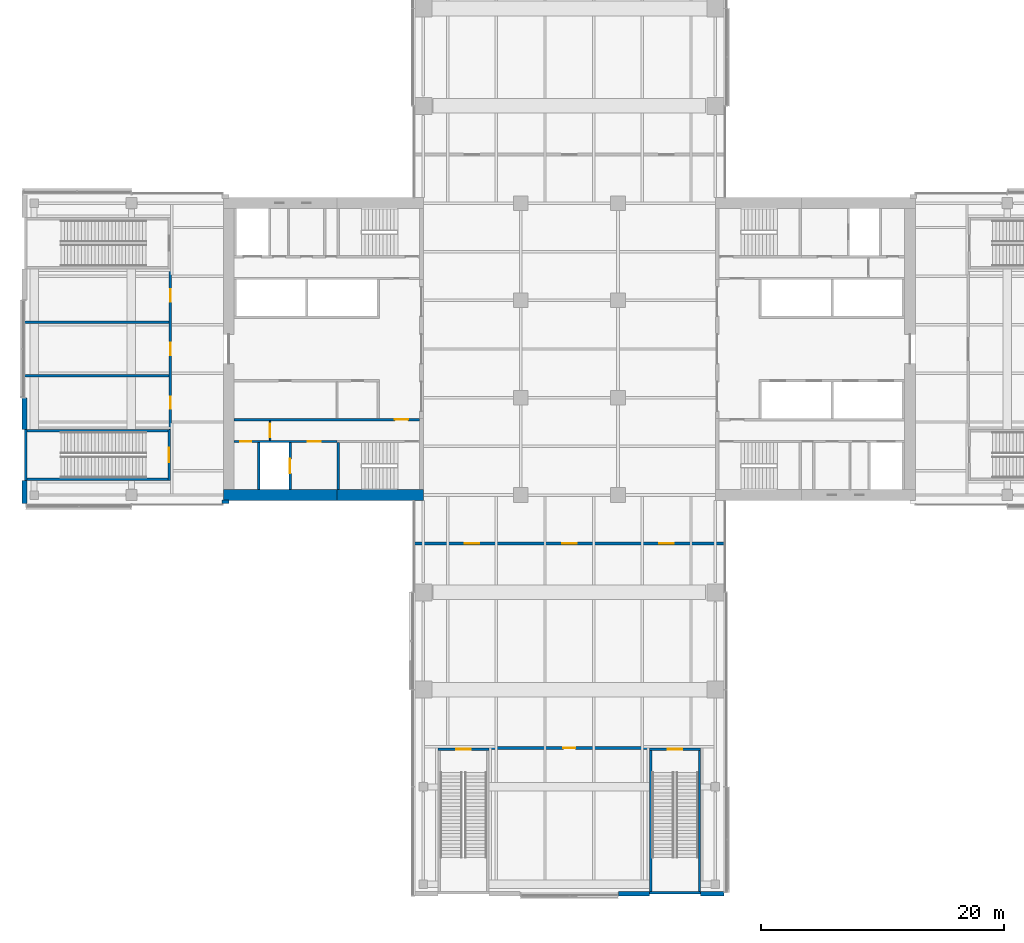
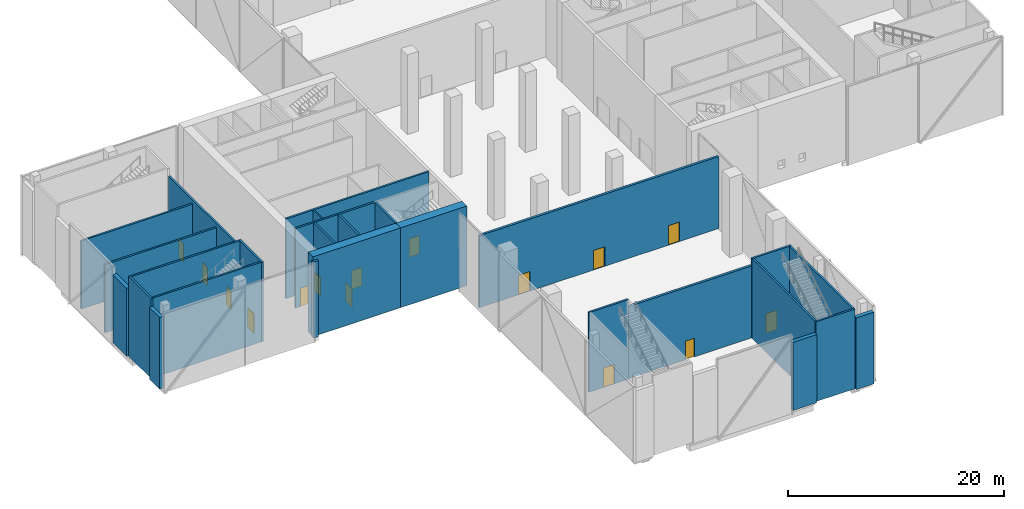
# One storey, part 14 of 26: 27 walls, 15 doors, 15 openings.
"""IFC4 building model written with IfcOpenShell, lengths in metres."""

import ifcopenshell
import ifcopenshell.guid

model = None  # the IFC model being written
_history = None  # IfcOwnerHistory: only IFC2X3 demands one
_inside = {}  # id of a spatial element -> (the spatial element, [elements in it])
_under = {}  # id of a project, library or spatial element -> (it, [spatial elements below it])
_declared = {}  # id of a project -> (the project, [libraries it declares])
_typed = {}  # id of a type object -> (the type object, [elements of that type])
_made_of = {}  # id of a material, layer set ... -> (it, [elements and type objects made of it])


def new_model(schema):
    """Start an empty IFC model of exactly this schema.

    Asked for "IFC4X3", IfcOpenShell would pick the latest addendum, in which some entities
    have other attributes; the version numbers below select the first issue.
    IFC2X3 requires an IfcOwnerHistory on every rooted entity: one is made here for all.
    """
    global model, _history
    if schema == "IFC4X3":
        model = ifcopenshell.file(schema_version=(4, 3, 0, 0))
    else:
        model = ifcopenshell.file(schema=schema)
    _inside.clear()
    _under.clear()
    _declared.clear()
    _typed.clear()
    _made_of.clear()
    _history = None
    if model.schema == "IFC2X3":
        org = make("IfcOrganization", Name="unknown")
        user = make(
            "IfcPersonAndOrganization",
            ThePerson=make("IfcPerson", FamilyName="unknown"),
            TheOrganization=org,
        )
        app = make(
            "IfcApplication",
            ApplicationDeveloper=org,
            Version="unknown",
            ApplicationFullName="unknown",
            ApplicationIdentifier="unknown",
        )
        _history = make(
            "IfcOwnerHistory",
            OwningUser=user,
            OwningApplication=app,
            ChangeAction="ADDED",
            CreationDate=0,
        )
    return model


def make(cls, **values):
    """One entity of the class cls with the attributes given. An attribute that is None is left unset."""
    return model.create_entity(
        cls, **{name: value for name, value in values.items() if value is not None}
    )


def rooted(cls, **values):
    """An entity with a GlobalId (a new one), such as an element, a storey or a relation."""
    return make(cls, GlobalId=ifcopenshell.guid.new(), OwnerHistory=_history, **values)


def si_unit(unit_type, name, prefix=None):
    """IfcSIUnit, for example si_unit("LENGTHUNIT", "METRE", prefix="MILLI")."""
    return make("IfcSIUnit", UnitType=unit_type, Prefix=prefix, Name=name)


def assignment(units):
    """IfcUnitAssignment: the units of a project."""
    return None if units is None else make("IfcUnitAssignment", Units=units)


def point(xyz):
    """IfcCartesianPoint."""
    return None if xyz is None else make("IfcCartesianPoint", Coordinates=xyz)


def direction(xyz):
    """IfcDirection."""
    return None if xyz is None else make("IfcDirection", DirectionRatios=xyz)


def frame(location, z_axis=None, x_axis=None):
    """IfcAxis2Placement3D, a coordinate frame: its origin and axes. An axis left out is left unset."""
    return make(
        "IfcAxis2Placement3D",
        Location=point(location),
        Axis=direction(z_axis),
        RefDirection=direction(x_axis),
    )


def frame_2d(location, x_axis=None):
    """IfcAxis2Placement2D, a coordinate frame in the plane: its origin and x axis."""
    return make(
        "IfcAxis2Placement2D", Location=point(location), RefDirection=direction(x_axis)
    )


def origin():
    """The frame at (0, 0, 0) with its axes left unset."""
    return frame((0.0, 0.0, 0.0))


def place(relative_to, where):
    """IfcLocalPlacement: puts the frame where relative to a parent placement (None: the world)."""
    return make(
        "IfcLocalPlacement", PlacementRelTo=relative_to, RelativePlacement=where
    )


def context(
    kind, dimensions, precision=None, world=None, true_north=None, identifier=None
):
    """IfcGeometricRepresentationContext, for example the 3D "Model" context."""
    return make(
        "IfcGeometricRepresentationContext",
        ContextIdentifier=identifier,
        ContextType=kind,
        CoordinateSpaceDimension=dimensions,
        Precision=precision,
        WorldCoordinateSystem=world,
        TrueNorth=true_north,
    )


def subcontext(parent, identifier, kind, view, scale=None):
    """IfcGeometricRepresentationSubContext, for example "Body" below "Model"."""
    return make(
        "IfcGeometricRepresentationSubContext",
        ContextIdentifier=identifier,
        ContextType=kind,
        ParentContext=parent,
        TargetScale=scale,
        TargetView=view,
    )


def project(units=None, contexts=None):
    """IfcProject with its units and contexts."""
    return rooted(
        "IfcProject",
        Name="project",
        RepresentationContexts=contexts,
        UnitsInContext=assignment(units),
    )


def spatial(cls, under=None, at=None, **own):
    """A site, building, storey or space (cls), placed at a placement, below another one or the project."""
    s = rooted(cls, ObjectPlacement=at, **own)
    if under is not None:
        _under.setdefault(under.id(), (under, []))[1].append(s)
    return s


def profile(cls, at=None, kind="AREA", **sizes):
    """A parametric profile (cls). Its sizes go by their IFC names, for example OverallWidth=200.0."""
    return make(cls, ProfileType=kind, Position=at, **sizes)


def rectangle(**sizes):
    """IfcRectangleProfileDef."""
    return profile("IfcRectangleProfileDef", **sizes)


def extrude(swept, where, along, depth):
    """IfcExtrudedAreaSolid: the profile swept, set in the frame where, extruded along a direction by depth."""
    return make(
        "IfcExtrudedAreaSolid",
        SweptArea=swept,
        Position=where,
        ExtrudedDirection=direction(along),
        Depth=depth,
    )


def shape(context_of_items, identifier, shape_type, items):
    """IfcShapeRepresentation: the items that make up one representation, for example the "Body"."""
    return make(
        "IfcShapeRepresentation",
        ContextOfItems=context_of_items,
        RepresentationIdentifier=identifier,
        RepresentationType=shape_type,
        Items=items,
    )


def material(Name=None, Category=None):
    """IfcMaterial."""
    return make("IfcMaterial", Name=Name, Category=Category)


def layer(
    of_material, thickness, ventilated=None, Name=None, Category=None, Priority=None
):
    """IfcMaterialLayer: one layer of a wall or slab, of a material (None: an air gap)."""
    return make(
        "IfcMaterialLayer",
        Material=of_material,
        LayerThickness=thickness,
        IsVentilated=ventilated,
        Name=Name,
        Category=Category,
        Priority=Priority,
    )


def layer_set(layers, Name=None):
    """IfcMaterialLayerSet."""
    return make("IfcMaterialLayerSet", MaterialLayers=layers, LayerSetName=Name)


def constituent(of_material, Name=None, Category=None, fraction=None):
    """IfcMaterialConstituent: one of the materials an element consists of."""
    return make(
        "IfcMaterialConstituent",
        Name=Name,
        Material=of_material,
        Fraction=fraction,
        Category=Category,
    )


def constituent_set(constituents=None, Name=None):
    """IfcMaterialConstituentSet."""
    return make(
        "IfcMaterialConstituentSet", Name=Name, MaterialConstituents=constituents
    )


def made_of(thing, what):
    """Note that an element or type object is made of a material, layer set ...; save() writes the relation."""
    if what is not None:
        _made_of.setdefault(what.id(), (what, []))[1].append(thing)
    return thing


def type_object(cls, material=None, **own):
    """A type object (cls), such as IfcWallType, which elements share."""
    return made_of(rooted(cls, **own), material)


def element(
    cls,
    number,
    at=None,
    inside=None,
    cuts=None,
    type_object=None,
    material=None,
    context=None,
    identifier="Body",
    shape_type=None,
    held_by="IfcProductDefinitionShape",
    body=None,
    shapes=None,
    **own,
):
    """One element of the class cls, such as IfcWall. Its Tag is "e" and its number.

    at: its placement. inside: the storey or other place that contains it. cuts: it is an
    opening in that element (IfcRelVoidsElement). A single representation is given by context,
    identifier, shape_type and body (its items); several are given by shapes. held_by: the class
    of the entity that holds the representations. save() writes the other relations.
    """
    e = rooted(cls, Tag="e%d" % number, ObjectPlacement=at, **own)
    if body is not None:
        shapes = [shape(context, identifier, shape_type, body)]
    if shapes is not None:
        e.Representation = make(held_by, Representations=shapes)
    if inside is not None:
        _inside.setdefault(inside.id(), (inside, []))[1].append(e)
    if cuts is not None:
        rooted(
            "IfcRelVoidsElement", RelatingBuildingElement=cuts, RelatedOpeningElement=e
        )
    if type_object is not None:
        _typed.setdefault(type_object.id(), (type_object, []))[1].append(e)
    return made_of(e, material)


def fill(opening, filler):
    """IfcRelFillsElement: the door or window that sits in an opening."""
    return rooted(
        "IfcRelFillsElement",
        RelatingOpeningElement=opening,
        RelatedBuildingElement=filler,
    )


def aggregate(whole, parts):
    """IfcRelAggregates: a whole, such as a stair, and the parts it consists of."""
    return rooted("IfcRelAggregates", RelatingObject=whole, RelatedObjects=parts)


def save(model, path):
    """Write the relations noted so far, then the file.

    IfcRelAggregates (storeys below a building ...), IfcRelContainedInSpatialStructure (elements
    in a storey), IfcRelDefinesByType, IfcRelAssociatesMaterial and IfcRelDeclares: one each for
    every whole, place, type object, material and project.
    """
    for whole, parts in _under.values():
        aggregate(whole, parts)
    for where, things in _inside.values():
        rooted(
            "IfcRelContainedInSpatialStructure",
            RelatedElements=things,
            RelatingStructure=where,
        )
    for kind, things in _typed.values():
        rooted("IfcRelDefinesByType", RelatedObjects=things, RelatingType=kind)
    for what, things in _made_of.values():
        rooted("IfcRelAssociatesMaterial", RelatedObjects=things, RelatingMaterial=what)
    for by, libraries in _declared.values():
        rooted("IfcRelDeclares", RelatingContext=by, RelatedDefinitions=libraries)
    model.write(path)


model = new_model("IFC4")

# Units and contexts
model_context = context("Model", 3, precision=1e-05, world=origin(), true_north=direction((0.0, 1.0)))
body_context = subcontext(model_context, "Body", "Model", "MODEL_VIEW")
ifc_project = project(units=[si_unit("LENGTHUNIT", "METRE"), si_unit("AREAUNIT", "SQUARE_METRE"), si_unit("VOLUMEUNIT", "CUBIC_METRE"), si_unit("PLANEANGLEUNIT", "RADIAN"), si_unit("MASSUNIT", "GRAM", prefix="KILO")], contexts=[model_context])

# Site, building, storey
site_placement = place(None, origin())
site = spatial("IfcSite", under=ifc_project, at=site_placement, CompositionType="ELEMENT")
building_placement = place(site_placement, origin())
building = spatial("IfcBuilding", under=site, at=building_placement, Name="Crosswind Convention Tower", CompositionType="ELEMENT")
storey_placement = place(building_placement, frame((0.0, 0.0, 25.0)))
storey = spatial("IfcBuildingStorey", under=building, at=storey_placement, Name="L03", CompositionType="ELEMENT", Elevation=25.0)

# Wall, opening, door
ifc_material_1 = material(Name="Concrete C50/60", Category="concrete")
ifc_layer_1 = layer(ifc_material_1, 0.199951171875)
ifc_layer_set_1 = layer_set([ifc_layer_1], Name="Concrete C50/60")
wall_type_1 = type_object("IfcWallType", Name="Concrete shaft and stair wall 200", PredefinedType="SHEAR", material=ifc_layer_set_1)
wall_1_placement = place(storey_placement, frame((112.699951171875, 94.199951171875, 0.0), z_axis=(0.0, 0.0, 1.0), x_axis=(-1.0, 0.0, 0.0)))
wall_1 = element("IfcWall", 1, at=wall_1_placement, inside=storey, type_object=wall_type_1, Name="Wall HP W L03", PredefinedType="SHEAR", context=body_context, shape_type="SweptSolid", body=[
    extrude(rectangle(XDim=15.25, YDim=0.199951171875, at=frame_2d((7.625, 0.0))), origin(), (0.0, 0.0, 1.0), 9.0),
])
opening_1_placement = place(wall_1_placement, frame((0.949951171875, 0.0, 0.0)))
opening_1 = element("IfcOpeningElement", 2, at=opening_1_placement, cuts=wall_1, Name="Opening D104", PredefinedType="OPENING", context=body_context, shape_type="SweptSolid", body=[
    extrude(rectangle(XDim=1.10009765625, YDim=2.10009765625, at=frame_2d((0.550048828125, 1.050048828125))), frame((0.0, 0.10986328125, 0.0), z_axis=(0.0, -1.0, 0.0), x_axis=(1.0, 0.0, 0.0)), (0.0, 0.0, 1.0), 0.219970703125),
])
ifc_material_2 = material(Name="Steel fire door", Category="steel")
door_type_1 = type_object("IfcDoorType", Name="Fire-rated single door 1100x2100", OperationType="NOTDEFINED", PredefinedType="DOOR", material=ifc_material_2)
door_1_placement = place(opening_1_placement, origin())
door_1 = element("IfcDoor", 3, at=door_1_placement, inside=storey, type_object=door_type_1, Name="Corridor door L03", ObjectType="D104", OperationType="SINGLE_SWING_LEFT", OverallHeight=2.10009765625, OverallWidth=1.10009765625, PredefinedType="DOOR", context=body_context, shape_type="SweptSolid", body=[
    extrude(rectangle(XDim=1.10009765625, YDim=2.10009765625, at=frame_2d((0.550048828125, 1.050048828125))), frame((0.0, 0.02490234375, 0.0), z_axis=(0.0, -1.0, 0.0), x_axis=(1.0, 0.0, 0.0)), (0.0, 0.0, 1.0), 0.050048828125),
])
fill(opening_1, door_1)

# Wall
wall_2_placement = place(storey_placement, frame((106.0, 92.300048828125, 0.0), z_axis=(0.0, 0.0, 1.0), x_axis=(0.0, -1.0, 0.0)))
element("IfcWall", 4, at=wall_2_placement, inside=storey, type_object=wall_type_1, Name="Wall PSE W L03", PredefinedType="SHEAR", context=body_context, shape_type="SweptSolid", body=[
    extrude(rectangle(XDim=3.85009765625, YDim=0.199951171875, at=frame_2d((1.925048828125, 0.0))), origin(), (0.0, 0.0, 1.0), 9.0),
])

# Wall, opening, door
wall_3_placement = place(storey_placement, frame((102.050048828125, 92.300048828125, 0.0), z_axis=(0.0, 0.0, 1.0), x_axis=(0.0, -1.0, 0.0)))
wall_3 = element("IfcWall", 5, at=wall_3_placement, inside=storey, type_object=wall_type_1, Name="Wall PFLW W L03", PredefinedType="SHEAR", context=body_context, shape_type="SweptSolid", body=[
    extrude(rectangle(XDim=3.85009765625, YDim=0.199951171875, at=frame_2d((1.925048828125, 0.0))), origin(), (0.0, 0.0, 1.0), 9.0),
])
opening_2_placement = place(wall_3_placement, frame((1.324951171875, 0.0, 0.0)))
opening_2 = element("IfcOpeningElement", 6, at=opening_2_placement, cuts=wall_3, Name="Opening LD1", PredefinedType="OPENING", context=body_context, shape_type="SweptSolid", body=[
    extrude(rectangle(XDim=1.199951171875, YDim=2.10009765625, at=frame_2d((0.60009765625, 1.050048828125))), frame((0.0, 0.10986328125, 0.0), z_axis=(0.0, -1.0, 0.0), x_axis=(1.0, 0.0, 0.0)), (0.0, 0.0, 1.0), 0.219970703125),
])
ifc_material_3 = material(Name="Stainless steel", Category="steel")
door_type_2 = type_object("IfcDoorType", Name="Lift landing door 1200x2100", OperationType="DOUBLE_DOOR_SLIDING", PredefinedType="DOOR", material=ifc_material_3)
door_2_placement = place(opening_2_placement, origin())
door_2 = element("IfcDoor", 7, at=door_2_placement, inside=storey, type_object=door_type_2, Name="Landing door FF2 L03", ObjectType="LD1", OperationType="DOUBLE_DOOR_SLIDING", OverallHeight=2.10009765625, OverallWidth=1.199951171875, PredefinedType="DOOR", context=body_context, shape_type="SweptSolid", body=[
    extrude(rectangle(XDim=1.199951171875, YDim=2.10009765625, at=frame_2d((0.60009765625, 1.050048828125))), frame((0.0, 0.02490234375, 0.0), z_axis=(0.0, -1.0, 0.0), x_axis=(1.0, 0.0, 0.0)), (0.0, 0.0, 1.0), 0.050048828125),
])
fill(opening_2, door_2)

# Wall
wall_4_placement = place(storey_placement, frame((99.449951171875, 92.300048828125, 0.0), z_axis=(0.0, 0.0, 1.0), x_axis=(0.0, -1.0, 0.0)))
element("IfcWall", 8, at=wall_4_placement, inside=storey, type_object=wall_type_1, Name="Wall PFSE W L03", PredefinedType="SHEAR", context=body_context, shape_type="SweptSolid", body=[
    extrude(rectangle(XDim=3.85009765625, YDim=0.199951171875, at=frame_2d((1.925048828125, 0.0))), origin(), (0.0, 0.0, 1.0), 9.0),
])

# Wall, openings, doors
wall_5_placement = place(storey_placement, frame((105.89990234375, 92.39990234375, 0.0), z_axis=(0.0, 0.0, 1.0), x_axis=(-1.0, 0.0, 0.0)))
wall_5 = element("IfcWall", 9, at=wall_5_placement, inside=storey, type_object=wall_type_1, Name="Wall PCX W L03", PredefinedType="SHEAR", context=body_context, shape_type="SweptSolid", body=[
    extrude(rectangle(XDim=8.449951171875, YDim=0.199951171875, at=frame_2d((4.22509765625, 0.0))), origin(), (0.0, 0.0, 1.0), 9.0),
])
opening_3_placement = place(wall_5_placement, frame((1.324951171875, 0.0, 0.0)))
opening_3 = element("IfcOpeningElement", 10, at=opening_3_placement, cuts=wall_5, Name="Opening D104", PredefinedType="OPENING", context=body_context, shape_type="SweptSolid", body=[
    extrude(rectangle(XDim=1.10009765625, YDim=2.10009765625, at=frame_2d((0.550048828125, 1.050048828125))), frame((0.0, 0.10986328125, 0.0), z_axis=(0.0, -1.0, 0.0), x_axis=(1.0, 0.0, 0.0)), (0.0, 0.0, 1.0), 0.219970703125),
])
opening_4_placement = place(wall_5_placement, frame((7.050048828125, 0.0, 0.0)))
opening_4 = element("IfcOpeningElement", 11, at=opening_4_placement, cuts=wall_5, Name="Opening D106", PredefinedType="OPENING", context=body_context, shape_type="SweptSolid", body=[
    extrude(rectangle(XDim=0.89990234375, YDim=2.10009765625, at=frame_2d((0.449951171875, 1.050048828125))), frame((0.0, 0.10986328125, 0.0), z_axis=(0.0, -1.0, 0.0), x_axis=(1.0, 0.0, 0.0)), (0.0, 0.0, 1.0), 0.219970703125),
])
door_3_placement = place(opening_3_placement, origin())
door_3 = element("IfcDoor", 12, at=door_3_placement, inside=storey, type_object=door_type_1, Name="Fire-fighting lobby FF2 door L03", ObjectType="D104", OperationType="SINGLE_SWING_RIGHT", OverallHeight=2.10009765625, OverallWidth=1.10009765625, PredefinedType="DOOR", context=body_context, shape_type="SweptSolid", body=[
    extrude(rectangle(XDim=1.10009765625, YDim=2.10009765625, at=frame_2d((0.550048828125, 1.050048828125))), frame((0.0, 0.02490234375, 0.0), z_axis=(0.0, -1.0, 0.0), x_axis=(1.0, 0.0, 0.0)), (0.0, 0.0, 1.0), 0.050048828125),
])
fill(opening_3, door_3)
ifc_material_4 = material(Name="Timber door", Category="wood")
door_type_3 = type_object("IfcDoorType", Name="Single leaf door 900x2100", OperationType="NOTDEFINED", PredefinedType="DOOR", material=ifc_material_4)
door_4_placement = place(opening_4_placement, origin())
door_4 = element("IfcDoor", 13, at=door_4_placement, inside=storey, type_object=door_type_3, Name="Door to telecoms room L03", ObjectType="D106", OperationType="SINGLE_SWING_RIGHT", OverallHeight=2.10009765625, OverallWidth=0.89990234375, PredefinedType="DOOR", context=body_context, shape_type="SweptSolid", body=[
    extrude(rectangle(XDim=0.89990234375, YDim=2.10009765625, at=frame_2d((0.449951171875, 1.050048828125))), frame((0.0, 0.02490234375, 0.0), z_axis=(0.0, -1.0, 0.0), x_axis=(1.0, 0.0, 0.0)), (0.0, 0.0, 1.0), 0.050048828125),
])
fill(opening_4, door_4)

# Wall, opening, door
ifc_material_5 = material(Name="Gypsum plasterboard partition", Category="gypsum")
ifc_layer_2 = layer(ifc_material_5, 0.125)
ifc_layer_set_2 = layer_set([ifc_layer_2], Name="Drywall partition wall 125")
wall_type_2 = type_object("IfcWallType", Name="Drywall partition wall 125", PredefinedType="PARTITIONING", material=ifc_layer_set_2)
wall_6_placement = place(storey_placement, frame((100.39990234375, 94.10009765625, 0.0), z_axis=(0.0, 0.0, 1.0), x_axis=(0.0, -1.0, 0.0)))
wall_6 = element("IfcWall", 14, at=wall_6_placement, inside=storey, type_object=wall_type_2, Name="Wall PXC1 W L03", PredefinedType="PARTITIONING", context=body_context, shape_type="SweptSolid", body=[
    extrude(rectangle(XDim=1.60009765625, YDim=0.125, at=frame_2d((0.800048828125, 0.0))), origin(), (0.0, 0.0, 1.0), 9.0),
])
opening_5_placement = place(wall_6_placement, frame((0.25, 0.0, 0.0)))
opening_5 = element("IfcOpeningElement", 15, at=opening_5_placement, cuts=wall_6, Name="Opening D104", PredefinedType="OPENING", context=body_context, shape_type="SweptSolid", body=[
    extrude(rectangle(XDim=1.10009765625, YDim=2.10009765625, at=frame_2d((0.550048828125, 1.050048828125))), frame((0.0, 0.072509765625, 0.0), z_axis=(0.0, -1.0, 0.0), x_axis=(1.0, 0.0, 0.0)), (0.0, 0.0, 1.0), 0.14501953125),
])
door_5_placement = place(opening_5_placement, frame((1.10009765625, 0.0, 0.0), z_axis=(0.0, 0.0, 1.0), x_axis=(-1.0, 0.0, 0.0)))
door_5 = element("IfcDoor", 16, at=door_5_placement, inside=storey, type_object=door_type_1, Name="Corridor smoke door L03", ObjectType="D104", OperationType="SINGLE_SWING_LEFT", OverallHeight=2.10009765625, OverallWidth=1.10009765625, PredefinedType="DOOR", context=body_context, shape_type="SweptSolid", body=[
    extrude(rectangle(XDim=1.10009765625, YDim=2.10009765625, at=frame_2d((0.550048828125, 1.050048828125))), frame((0.0, 0.02490234375, 0.0), z_axis=(0.0, -1.0, 0.0), x_axis=(1.0, 0.0, 0.0)), (0.0, 0.0, 1.0), 0.050048828125),
])
fill(opening_5, door_5)

# Walls
ifc_material_6 = material(Name="Double plasterboard partition", Category="gypsum")
ifc_layer_3 = layer(ifc_material_6, 0.199951171875)
ifc_layer_set_3 = layer_set([ifc_layer_3], Name="HALL WALL 200")
wall_type_3 = type_object("IfcWallType", Name="HALL WALL 200", PredefinedType="PARTITIONING", material=ifc_layer_set_3)
for number, where, z_axis, x_axis, name in (
    (17, (80.199951171875, 97.800048828125, 0.0), (0.0, 0.0, 1.0), (1.0, 0.0, 0.0), "Hall Wall 11"),
    (18, (80.199951171875, 102.199951171875, 0.0), (0.0, 0.0, 1.0), (1.0, 0.0, 0.0), "Hall Wall 12"),
):
    element("IfcWall", number, at=place(storey_placement, frame(where, z_axis=z_axis, x_axis=x_axis)), inside=storey, type_object=wall_type_3, Name=name, PredefinedType="PARTITIONING", context=body_context, shape_type="SweptSolid", body=[
        extrude(rectangle(XDim=11.900146484375, YDim=0.199951171875, at=frame_2d((5.9501953125, 0.0))), origin(), (0.0, 0.0, 1.0), 7.699951171875),
    ])

# Wall, openings, doors
wall_7_placement = place(storey_placement, frame((92.199951171875, 93.39990234375, 0.0), z_axis=(0.0, 0.0, 1.0), x_axis=(0.0, 1.0, 0.0)))
wall_7 = element("IfcWall", 19, at=wall_7_placement, inside=storey, type_object=wall_type_3, Name="Hall Wall 27", PredefinedType="PARTITIONING", context=body_context, shape_type="SweptSolid", body=[
    extrude(rectangle(XDim=13.2001953125, YDim=0.199951171875, at=frame_2d((6.60009765625, 0.0))), origin(), (0.0, 0.0, 1.0), 8.136474609375),
])
opening_6_placement = place(wall_7_placement, frame((1.699951171875, 0.0, 0.0)))
opening_6 = element("IfcOpeningElement", 20, at=opening_6_placement, cuts=wall_7, Name="Opening 03.010", PredefinedType="OPENING", context=body_context, shape_type="SweptSolid", body=[
    extrude(rectangle(XDim=1.0, YDim=2.10009765625, at=frame_2d((0.5, 1.050048828125))), frame((0.0, 0.10986328125, 0.0), z_axis=(0.0, -1.0, 0.0), x_axis=(1.0, 0.0, 0.0)), (0.0, 0.0, 1.0), 0.219970703125),
])
opening_7_placement = place(wall_7_placement, frame((6.10009765625, 0.0, 0.0)))
opening_7 = element("IfcOpeningElement", 21, at=opening_7_placement, cuts=wall_7, Name="Opening 03.011", PredefinedType="OPENING", context=body_context, shape_type="SweptSolid", body=[
    extrude(rectangle(XDim=1.0, YDim=2.10009765625, at=frame_2d((0.5, 1.050048828125))), frame((0.0, 0.10986328125, 0.0), z_axis=(0.0, -1.0, 0.0), x_axis=(1.0, 0.0, 0.0)), (0.0, 0.0, 1.0), 0.219970703125),
])
opening_8_placement = place(wall_7_placement, frame((10.5, 0.0, 0.0)))
opening_8 = element("IfcOpeningElement", 22, at=opening_8_placement, cuts=wall_7, Name="Opening 03.012", PredefinedType="OPENING", context=body_context, shape_type="SweptSolid", body=[
    extrude(rectangle(XDim=1.0, YDim=2.10009765625, at=frame_2d((0.5, 1.050048828125))), frame((0.0, 0.10986328125, 0.0), z_axis=(0.0, -1.0, 0.0), x_axis=(1.0, 0.0, 0.0)), (0.0, 0.0, 1.0), 0.219970703125),
])
ifc_material_7 = material(Name="Timber fire door", Category="wood")
door_type_4 = type_object("IfcDoorType", Name="MEETING ROOM DOOR 1000X2100", OperationType="NOTDEFINED", PredefinedType="DOOR", material=ifc_material_7)
door_6_placement = place(opening_6_placement, frame((1.0, 0.0, 0.0), z_axis=(0.0, 0.0, 1.0), x_axis=(-1.0, 0.0, 0.0)))
door_6 = element("IfcDoor", 23, at=door_6_placement, inside=storey, type_object=door_type_4, Name="Door 03.010", ObjectType="D13", OperationType="SINGLE_SWING_LEFT", OverallHeight=2.10009765625, OverallWidth=1.0, PredefinedType="DOOR", context=body_context, shape_type="SweptSolid", body=[
    extrude(rectangle(XDim=1.0, YDim=2.10009765625, at=frame_2d((0.5, 1.050048828125))), frame((0.0, 0.02490234375, 0.0), z_axis=(0.0, -1.0, 0.0), x_axis=(1.0, 0.0, 0.0)), (0.0, 0.0, 1.0), 0.050048828125),
])
fill(opening_6, door_6)
door_7_placement = place(opening_7_placement, frame((1.0, 0.0, 0.0), z_axis=(0.0, 0.0, 1.0), x_axis=(-1.0, 0.0, 0.0)))
door_7 = element("IfcDoor", 24, at=door_7_placement, inside=storey, type_object=door_type_4, Name="Door 03.011", ObjectType="D13", OperationType="SINGLE_SWING_LEFT", OverallHeight=2.10009765625, OverallWidth=1.0, PredefinedType="DOOR", context=body_context, shape_type="SweptSolid", body=[
    extrude(rectangle(XDim=1.0, YDim=2.10009765625, at=frame_2d((0.5, 1.050048828125))), frame((0.0, 0.02490234375, 0.0), z_axis=(0.0, -1.0, 0.0), x_axis=(1.0, 0.0, 0.0)), (0.0, 0.0, 1.0), 0.050048828125),
])
fill(opening_7, door_7)
door_8_placement = place(opening_8_placement, frame((1.0, 0.0, 0.0), z_axis=(0.0, 0.0, 1.0), x_axis=(-1.0, 0.0, 0.0)))
door_8 = element("IfcDoor", 25, at=door_8_placement, inside=storey, type_object=door_type_4, Name="Door 03.012", ObjectType="D13", OperationType="SINGLE_SWING_LEFT", OverallHeight=2.10009765625, OverallWidth=1.0, PredefinedType="DOOR", context=body_context, shape_type="SweptSolid", body=[
    extrude(rectangle(XDim=1.0, YDim=2.10009765625, at=frame_2d((0.5, 1.050048828125))), frame((0.0, 0.02490234375, 0.0), z_axis=(0.0, -1.0, 0.0), x_axis=(1.0, 0.0, 0.0)), (0.0, 0.0, 1.0), 0.050048828125),
])
fill(opening_8, door_8)

# Wall
ifc_material_8 = material(Name="Concrete C40/50", Category="concrete")
ifc_layer_4 = layer(ifc_material_8, 0.199951171875)
ifc_layer_set_4 = layer_set([ifc_layer_4], Name="Concrete C40/50")
wall_type_4 = type_object("IfcWallType", Name="STAIR ENCLOSURE WALL 200", PredefinedType="SOLIDWALL", material=ifc_layer_set_4)
wall_8_placement = place(storey_placement, frame((131.60009765625, 55.300048828125, 0.0), z_axis=(0.0, 0.0, 1.0), x_axis=(1.0, 0.0, 0.0)))
element("IfcWall", 26, at=wall_8_placement, inside=storey, type_object=wall_type_4, Name="Stair Enclosure Wall 2", PredefinedType="SOLIDWALL", context=body_context, shape_type="SweptSolid", body=[
    extrude(rectangle(XDim=4.199951171875, YDim=0.199951171875, at=frame_2d((2.10009765625, 0.0))), origin(), (0.0, 0.0, 1.0), 9.0),
])

# Wall, opening, door
wall_9_placement = place(storey_placement, frame((114.199951171875, 67.10009765625, 0.0), z_axis=(0.0, 0.0, 1.0), x_axis=(1.0, 0.0, 0.0)))
wall_9 = element("IfcWall", 27, at=wall_9_placement, inside=storey, type_object=wall_type_4, Name="Stair Enclosure Wall 3", PredefinedType="SOLIDWALL", context=body_context, shape_type="SweptSolid", body=[
    extrude(rectangle(XDim=4.199951171875, YDim=0.199951171875, at=frame_2d((2.10009765625, 0.0))), origin(), (0.0, 0.0, 1.0), 9.0),
])
opening_9_placement = place(wall_9_placement, frame((1.5, 0.0, 0.0)))
opening_9 = element("IfcOpeningElement", 28, at=opening_9_placement, cuts=wall_9, Name="Opening 03.017", PredefinedType="OPENING", context=body_context, shape_type="SweptSolid", body=[
    extrude(rectangle(XDim=1.199951171875, YDim=2.199951171875, at=frame_2d((0.60009765625, 1.10009765625))), frame((0.0, 0.10986328125, 0.0), z_axis=(0.0, -1.0, 0.0), x_axis=(1.0, 0.0, 0.0)), (0.0, 0.0, 1.0), 0.219970703125),
])
door_type_5 = type_object("IfcDoorType", Name="STAIR DOOR 1200X2200", OperationType="NOTDEFINED", PredefinedType="DOOR", material=ifc_material_2)
door_9_placement = place(opening_9_placement, frame((1.199951171875, 0.0, 0.0), z_axis=(0.0, 0.0, 1.0), x_axis=(-1.0, 0.0, 0.0)))
door_9 = element("IfcDoor", 29, at=door_9_placement, inside=storey, type_object=door_type_5, Name="Door 03.017", ObjectType="D4", OperationType="SINGLE_SWING_LEFT", OverallHeight=2.199951171875, OverallWidth=1.199951171875, PredefinedType="DOOR", context=body_context, shape_type="SweptSolid", body=[
    extrude(rectangle(XDim=1.199951171875, YDim=2.199951171875, at=frame_2d((0.60009765625, 1.10009765625))), frame((0.0, 0.02490234375, 0.0), z_axis=(0.0, -1.0, 0.0), x_axis=(1.0, 0.0, 0.0)), (0.0, 0.0, 1.0), 0.050048828125),
])
fill(opening_9, door_9)

wall_10_placement = place(storey_placement, frame((131.60009765625, 67.10009765625, 0.0), z_axis=(0.0, 0.0, 1.0), x_axis=(1.0, 0.0, 0.0)))
wall_10 = element("IfcWall", 30, at=wall_10_placement, inside=storey, type_object=wall_type_4, Name="Stair Enclosure Wall 4", PredefinedType="SOLIDWALL", context=body_context, shape_type="SweptSolid", body=[
    extrude(rectangle(XDim=4.199951171875, YDim=0.199951171875, at=frame_2d((2.10009765625, 0.0))), origin(), (0.0, 0.0, 1.0), 9.0),
])
opening_10_placement = place(wall_10_placement, frame((1.5, 0.0, 0.0)))
opening_10 = element("IfcOpeningElement", 31, at=opening_10_placement, cuts=wall_10, Name="Opening 03.018", PredefinedType="OPENING", context=body_context, shape_type="SweptSolid", body=[
    extrude(rectangle(XDim=1.199951171875, YDim=2.199951171875, at=frame_2d((0.60009765625, 1.10009765625))), frame((0.0, 0.10986328125, 0.0), z_axis=(0.0, -1.0, 0.0), x_axis=(1.0, 0.0, 0.0)), (0.0, 0.0, 1.0), 0.219970703125),
])
door_10_placement = place(opening_10_placement, frame((1.199951171875, 0.0, 0.0), z_axis=(0.0, 0.0, 1.0), x_axis=(-1.0, 0.0, 0.0)))
door_10 = element("IfcDoor", 32, at=door_10_placement, inside=storey, type_object=door_type_5, Name="Door 03.018", ObjectType="D4", OperationType="SINGLE_SWING_LEFT", OverallHeight=2.199951171875, OverallWidth=1.199951171875, PredefinedType="DOOR", context=body_context, shape_type="SweptSolid", body=[
    extrude(rectangle(XDim=1.199951171875, YDim=2.199951171875, at=frame_2d((0.60009765625, 1.10009765625))), frame((0.0, 0.02490234375, 0.0), z_axis=(0.0, -1.0, 0.0), x_axis=(1.0, 0.0, 0.0)), (0.0, 0.0, 1.0), 0.050048828125),
])
fill(opening_10, door_10)

# Walls
for number, where, z_axis, x_axis, name in (
    (33, (80.39990234375, 89.300048828125, 0.0), (0.0, 0.0, 1.0), (1.0, 0.0, 0.0), "Stair Enclosure Wall 7"),
    (34, (80.39990234375, 93.300048828125, 0.0), (0.0, 0.0, 1.0), (1.0, 0.0, 0.0), "Stair Enclosure Wall 9"),
):
    element("IfcWall", number, at=place(storey_placement, frame(where, z_axis=z_axis, x_axis=x_axis)), inside=storey, type_object=wall_type_4, Name=name, PredefinedType="SOLIDWALL", context=body_context, shape_type="SweptSolid", body=[
        extrude(rectangle(XDim=11.60009765625, YDim=0.199951171875, at=frame_2d((5.800048828125, 0.0))), origin(), (0.0, 0.0, 1.0), 9.0),
    ])
wall_11_placement = place(storey_placement, frame((80.300048828125, 89.199951171875, 0.0), z_axis=(0.0, 0.0, 1.0), x_axis=(0.0, 1.0, 0.0)))
element("IfcWall", 35, at=wall_11_placement, inside=storey, type_object=wall_type_4, Name="Stair Enclosure Wall 23", PredefinedType="SOLIDWALL", context=body_context, shape_type="SweptSolid", body=[
    extrude(rectangle(XDim=4.199951171875, YDim=0.199951171875, at=frame_2d((2.10009765625, 0.0))), origin(), (0.0, 0.0, 1.0), 9.0),
])

# Wall, opening, door
wall_12_placement = place(storey_placement, frame((92.10009765625, 89.199951171875, 0.0), z_axis=(0.0, 0.0, 1.0), x_axis=(0.0, 1.0, 0.0)))
wall_12 = element("IfcWall", 36, at=wall_12_placement, inside=storey, type_object=wall_type_4, Name="Stair Enclosure Wall 25", PredefinedType="SOLIDWALL", context=body_context, shape_type="SweptSolid", body=[
    extrude(rectangle(XDim=4.199951171875, YDim=0.199951171875, at=frame_2d((2.10009765625, 0.0))), origin(), (0.0, 0.0, 1.0), 9.0),
])
opening_11_placement = place(wall_12_placement, frame((1.5, 0.0, 0.0)))
opening_11 = element("IfcOpeningElement", 37, at=opening_11_placement, cuts=wall_12, Name="Opening 03.019", PredefinedType="OPENING", context=body_context, shape_type="SweptSolid", body=[
    extrude(rectangle(XDim=1.199951171875, YDim=2.199951171875, at=frame_2d((0.60009765625, 1.10009765625))), frame((0.0, 0.10986328125, 0.0), z_axis=(0.0, -1.0, 0.0), x_axis=(1.0, 0.0, 0.0)), (0.0, 0.0, 1.0), 0.219970703125),
])
door_11_placement = place(opening_11_placement, origin())
door_11 = element("IfcDoor", 38, at=door_11_placement, inside=storey, type_object=door_type_5, Name="Door 03.019", ObjectType="D4", OperationType="SINGLE_SWING_RIGHT", OverallHeight=2.199951171875, OverallWidth=1.199951171875, PredefinedType="DOOR", context=body_context, shape_type="SweptSolid", body=[
    extrude(rectangle(XDim=1.199951171875, YDim=2.199951171875, at=frame_2d((0.60009765625, 1.10009765625))), frame((0.0, 0.02490234375, 0.0), z_axis=(0.0, -1.0, 0.0), x_axis=(1.0, 0.0, 0.0)), (0.0, 0.0, 1.0), 0.050048828125),
])
fill(opening_11, door_11)

# Walls
for number, where, z_axis, x_axis, name in (
    (39, (131.699951171875, 55.39990234375, 0.0), (0.0, 0.0, 1.0), (0.0, 1.0, 0.0), "Stair Enclosure Wall 32"),
    (40, (135.699951171875, 55.39990234375, 0.0), (0.0, 0.0, 1.0), (0.0, 1.0, 0.0), "Stair Enclosure Wall 34"),
):
    element("IfcWall", number, at=place(storey_placement, frame(where, z_axis=z_axis, x_axis=x_axis)), inside=storey, type_object=wall_type_4, Name=name, PredefinedType="SOLIDWALL", context=body_context, shape_type="SweptSolid", body=[
        extrude(rectangle(XDim=11.60009765625, YDim=0.199951171875, at=frame_2d((5.800048828125, 0.0))), origin(), (0.0, 0.0, 1.0), 9.0),
    ])
ifc_material_9 = material(Name="Terracotta rainscreen", Category="ceramic")
ifc_layer_5 = layer(ifc_material_9, 0.02001953125)
ifc_material_10 = material(Name="Mineral wool insulation", Category="insulation")
ifc_layer_6 = layer(ifc_material_10, 0.10009765625)
ifc_material_11 = material(Name="Concrete blockwork", Category="masonry")
ifc_layer_7 = layer(ifc_material_11, 0.18603515625)
ifc_layer_set_5 = layer_set([ifc_layer_5, ifc_layer_6, ifc_layer_7], Name="TERRACOTTA CORNER INFILL WALL 306")
wall_type_5 = type_object("IfcWallType", Name="TERRACOTTA CORNER INFILL WALL 306", PredefinedType="SOLIDWALL", material=ifc_layer_set_5)
wall_13_placement = place(storey_placement, frame((96.445068359375, 87.452880859375, 0.0), z_axis=(0.0, 0.0, 1.0), x_axis=(1.0, 0.0, 0.0)))
element("IfcWall", 41, at=wall_13_placement, inside=storey, type_object=wall_type_5, Name="Core corner infill wall L03 3", PredefinedType="SOLIDWALL", context=body_context, shape_type="SweptSolid", body=[
    extrude(rectangle(XDim=0.554931640625, YDim=0.305908203125, at=frame_2d((0.27734375, 0.0))), origin(), (0.0, 0.0, 1.0), 8.60009765625),
])
ifc_layer_8 = layer(ifc_material_9, 0.02001953125)
ifc_layer_9 = layer(ifc_material_10, 0.10009765625)
ifc_layer_10 = layer(ifc_material_11, 0.280029296875)
ifc_layer_set_6 = layer_set([ifc_layer_8, ifc_layer_9, ifc_layer_10], Name="TERRACOTTA INFILL WALL 400")
wall_type_6 = type_object("IfcWallType", Name="TERRACOTTA INFILL WALL 400", PredefinedType="SOLIDWALL", material=ifc_layer_set_6)
wall_14_placement = place(storey_placement, frame((80.215087890625, 95.9599609375, 0.0), z_axis=(0.0, 0.0, 1.0), x_axis=(0.0, -1.0, 0.0)))
element("IfcWall", 42, at=wall_14_placement, inside=storey, type_object=wall_type_6, Name="Stair enclosure side wall L03 W-TIP.1-3.1", PredefinedType="SOLIDWALL", context=body_context, shape_type="SweptSolid", body=[
    extrude(rectangle(XDim=2.56005859375, YDim=0.39990234375, at=frame_2d((1.280029296875, 0.0))), origin(), (0.0, 0.0, 1.0), 7.699951171875),
])
wall_15_placement = place(storey_placement, frame((80.215087890625, 89.199951171875, 0.0), z_axis=(0.0, 0.0, 1.0), x_axis=(0.0, -1.0, 0.0)))
element("IfcWall", 43, at=wall_15_placement, inside=storey, type_object=wall_type_6, Name="Stair enclosure side wall L03 W-TIP.1-3.2", PredefinedType="SOLIDWALL", context=body_context, shape_type="SweptSolid", body=[
    extrude(rectangle(XDim=1.89990234375, YDim=0.39990234375, at=frame_2d((0.949951171875, 0.0))), origin(), (0.0, 0.0, 1.0), 8.10009765625),
])
wall_16_placement = place(storey_placement, frame((129.0400390625, 55.215087890625, 0.0), z_axis=(0.0, 0.0, 1.0), x_axis=(1.0, 0.0, 0.0)))
element("IfcWall", 44, at=wall_16_placement, inside=storey, type_object=wall_type_6, Name="Stair enclosure side wall L03 S-TIP.1-3.1", PredefinedType="SOLIDWALL", context=body_context, shape_type="SweptSolid", body=[
    extrude(rectangle(XDim=2.56005859375, YDim=0.39990234375, at=frame_2d((1.280029296875, 0.0))), origin(), (0.0, 0.0, 1.0), 7.699951171875),
])
wall_17_placement = place(storey_placement, frame((135.800048828125, 55.215087890625, 0.0), z_axis=(0.0, 0.0, 1.0), x_axis=(1.0, 0.0, 0.0)))
element("IfcWall", 45, at=wall_17_placement, inside=storey, type_object=wall_type_6, Name="Stair enclosure side wall L03 S-TIP.1-3.2", PredefinedType="SOLIDWALL", context=body_context, shape_type="SweptSolid", body=[
    extrude(rectangle(XDim=1.89990234375, YDim=0.39990234375, at=frame_2d((0.949951171875, 0.0))), origin(), (0.0, 0.0, 1.0), 8.10009765625),
])

# Wall, opening, door
ifc_material_12 = material(Name="Acoustic blockwork", Category="masonry")
ifc_layer_11 = layer(ifc_material_12, 0.25)
ifc_layer_set_7 = layer_set([ifc_layer_11], Name="THEATRE WALL 250")
wall_type_7 = type_object("IfcWallType", Name="THEATRE WALL 250", PredefinedType="PARTITIONING", material=ifc_layer_set_7)
wall_18_placement = place(storey_placement, frame((118.39990234375, 67.199951171875, 0.0), z_axis=(0.0, 0.0, 1.0), x_axis=(1.0, 0.0, 0.0)))
wall_18 = element("IfcWall", 46, at=wall_18_placement, inside=storey, type_object=wall_type_7, Name="Theatre Wall 5", PredefinedType="PARTITIONING", context=body_context, shape_type="SweptSolid", body=[
    extrude(rectangle(XDim=13.2001953125, YDim=0.25, at=frame_2d((6.60009765625, 0.0))), origin(), (0.0, 0.0, 1.0), 8.136474609375),
])
opening_12_placement = place(wall_18_placement, frame((6.10009765625, 0.0, 0.0)))
opening_12 = element("IfcOpeningElement", 47, at=opening_12_placement, cuts=wall_18, Name="Opening 03.002", PredefinedType="OPENING", context=body_context, shape_type="SweptSolid", body=[
    extrude(rectangle(XDim=1.0, YDim=2.10009765625, at=frame_2d((0.5, 1.050048828125))), frame((0.0, 0.135009765625, 0.0), z_axis=(0.0, -1.0, 0.0), x_axis=(1.0, 0.0, 0.0)), (0.0, 0.0, 1.0), 0.27001953125),
])
door_12_placement = place(opening_12_placement, frame((1.0, 0.0, 0.0), z_axis=(0.0, 0.0, 1.0), x_axis=(-1.0, 0.0, 0.0)))
door_12 = element("IfcDoor", 48, at=door_12_placement, inside=storey, type_object=door_type_4, Name="Door 03.002", ObjectType="D13", OperationType="SINGLE_SWING_LEFT", OverallHeight=2.10009765625, OverallWidth=1.0, PredefinedType="DOOR", context=body_context, shape_type="SweptSolid", body=[
    extrude(rectangle(XDim=1.0, YDim=2.10009765625, at=frame_2d((0.5, 1.050048828125))), frame((0.0, 0.02490234375, 0.0), z_axis=(0.0, -1.0, 0.0), x_axis=(1.0, 0.0, 0.0)), (0.0, 0.0, 1.0), 0.050048828125),
])
fill(opening_12, door_12)

# Wall, openings, doors
wall_19_placement = place(storey_placement, frame((112.199951171875, 84.0, 0.0), z_axis=(0.0, 0.0, 1.0), x_axis=(1.0, 0.0, 0.0)))
wall_19 = element("IfcWall", 49, at=wall_19_placement, inside=storey, type_object=wall_type_7, Name="Theatre Wall 6", PredefinedType="PARTITIONING", context=body_context, shape_type="SweptSolid", body=[
    extrude(rectangle(XDim=25.60009765625, YDim=0.25, at=frame_2d((12.800048828125, 0.0))), origin(), (0.0, 0.0, 1.0), 8.13232421875),
])
opening_13_placement = place(wall_19_placement, frame((4.199951171875, 0.0, 0.0)))
opening_13 = element("IfcOpeningElement", 50, at=opening_13_placement, cuts=wall_19, Name="Opening 03.004", PredefinedType="OPENING", context=body_context, shape_type="SweptSolid", body=[
    extrude(rectangle(XDim=1.199951171875, YDim=2.199951171875, at=frame_2d((0.60009765625, 1.10009765625))), frame((0.0, 0.135009765625, 0.0), z_axis=(0.0, -1.0, 0.0), x_axis=(1.0, 0.0, 0.0)), (0.0, 0.0, 1.0), 0.27001953125),
])
opening_14_placement = place(wall_19_placement, frame((12.199951171875, 0.0, 0.0)))
opening_14 = element("IfcOpeningElement", 51, at=opening_14_placement, cuts=wall_19, Name="Opening 03.006", PredefinedType="OPENING", context=body_context, shape_type="SweptSolid", body=[
    extrude(rectangle(XDim=1.199951171875, YDim=2.199951171875, at=frame_2d((0.60009765625, 1.10009765625))), frame((0.0, 0.135009765625, 0.0), z_axis=(0.0, -1.0, 0.0), x_axis=(1.0, 0.0, 0.0)), (0.0, 0.0, 1.0), 0.27001953125),
])
opening_15_placement = place(wall_19_placement, frame((20.199951171875, 0.0, 0.0)))
opening_15 = element("IfcOpeningElement", 52, at=opening_15_placement, cuts=wall_19, Name="Opening 03.008", PredefinedType="OPENING", context=body_context, shape_type="SweptSolid", body=[
    extrude(rectangle(XDim=1.199951171875, YDim=2.199951171875, at=frame_2d((0.60009765625, 1.10009765625))), frame((0.0, 0.135009765625, 0.0), z_axis=(0.0, -1.0, 0.0), x_axis=(1.0, 0.0, 0.0)), (0.0, 0.0, 1.0), 0.27001953125),
])
ifc_material_13 = material(Name="Acoustic timber door", Category="wood")
door_type_6 = type_object("IfcDoorType", Name="THEATRE DOOR 1200X2200", OperationType="NOTDEFINED", PredefinedType="DOOR", material=ifc_material_13)
door_13_placement = place(opening_13_placement, origin())
door_13 = element("IfcDoor", 53, at=door_13_placement, inside=storey, type_object=door_type_6, Name="Door 03.004", ObjectType="D9", OperationType="SINGLE_SWING_LEFT", OverallHeight=2.199951171875, OverallWidth=1.199951171875, PredefinedType="DOOR", context=body_context, shape_type="SweptSolid", body=[
    extrude(rectangle(XDim=1.199951171875, YDim=2.199951171875, at=frame_2d((0.60009765625, 1.10009765625))), frame((0.0, 0.02490234375, 0.0), z_axis=(0.0, -1.0, 0.0), x_axis=(1.0, 0.0, 0.0)), (0.0, 0.0, 1.0), 0.050048828125),
])
fill(opening_13, door_13)
door_14_placement = place(opening_14_placement, origin())
door_14 = element("IfcDoor", 54, at=door_14_placement, inside=storey, type_object=door_type_6, Name="Door 03.006", ObjectType="D9", OperationType="SINGLE_SWING_RIGHT", OverallHeight=2.199951171875, OverallWidth=1.199951171875, PredefinedType="DOOR", context=body_context, shape_type="SweptSolid", body=[
    extrude(rectangle(XDim=1.199951171875, YDim=2.199951171875, at=frame_2d((0.60009765625, 1.10009765625))), frame((0.0, 0.02490234375, 0.0), z_axis=(0.0, -1.0, 0.0), x_axis=(1.0, 0.0, 0.0)), (0.0, 0.0, 1.0), 0.050048828125),
])
fill(opening_14, door_14)
door_15_placement = place(opening_15_placement, origin())
door_15 = element("IfcDoor", 55, at=door_15_placement, inside=storey, type_object=door_type_6, Name="Door 03.008", ObjectType="D9", OperationType="SINGLE_SWING_RIGHT", OverallHeight=2.199951171875, OverallWidth=1.199951171875, PredefinedType="DOOR", context=body_context, shape_type="SweptSolid", body=[
    extrude(rectangle(XDim=1.199951171875, YDim=2.199951171875, at=frame_2d((0.60009765625, 1.10009765625))), frame((0.0, 0.02490234375, 0.0), z_axis=(0.0, -1.0, 0.0), x_axis=(1.0, 0.0, 0.0)), (0.0, 0.0, 1.0), 0.050048828125),
])
fill(opening_15, door_15)

# Walls
ifc_material_14 = material(Name="Concrete C60/75", Category="concrete")
ifc_constituent_1 = constituent(ifc_material_14, Name="Structure")
ifc_constituent_2 = constituent(ifc_material_9, Name="Facing")
ifc_constituent_set = constituent_set(constituents=[ifc_constituent_1, ifc_constituent_2], Name="Concrete C60/75, Terracotta rainscreen")
wall_type_8 = type_object("IfcWallType", Name="Terracotta rainscreen on concrete core wall 900", PredefinedType="SHEAR", material=ifc_constituent_set)
wall_20_placement = place(storey_placement, frame((113.0, 88.0, 0.0), z_axis=(0.0, 0.0, 1.0), x_axis=(-1.0, 0.0, 0.0)))
element("IfcWall", 56, at=wall_20_placement, inside=storey, type_object=wall_type_8, Name="Wall N1 W L03", PredefinedType="SHEAR", context=body_context, shape_type="SweptSolid", body=[
    extrude(rectangle(XDim=7.10009765625, YDim=0.89990234375, at=frame_2d((3.550048828125, 0.0))), origin(), (0.0, 0.0, 1.0), 9.0),
])
wall_21_placement = place(storey_placement, frame((105.89990234375, 88.0, 0.0), z_axis=(0.0, 0.0, 1.0), x_axis=(-1.0, 0.0, 0.0)))
element("IfcWall", 57, at=wall_21_placement, inside=storey, type_object=wall_type_8, Name="Wall N2 W L03", PredefinedType="SHEAR", context=body_context, shape_type="SweptSolid", body=[
    extrude(rectangle(XDim=9.349853515625, YDim=0.89990234375, at=frame_2d((4.6748046875, 0.0))), origin(), (0.0, 0.0, 1.0), 9.0),
])

save(model, "model.ifc")
